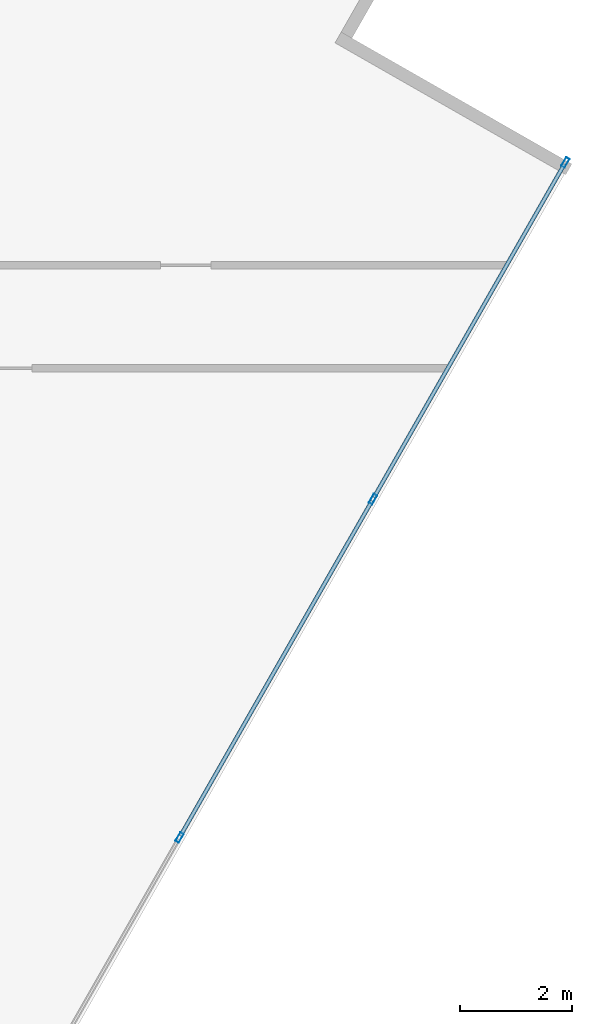
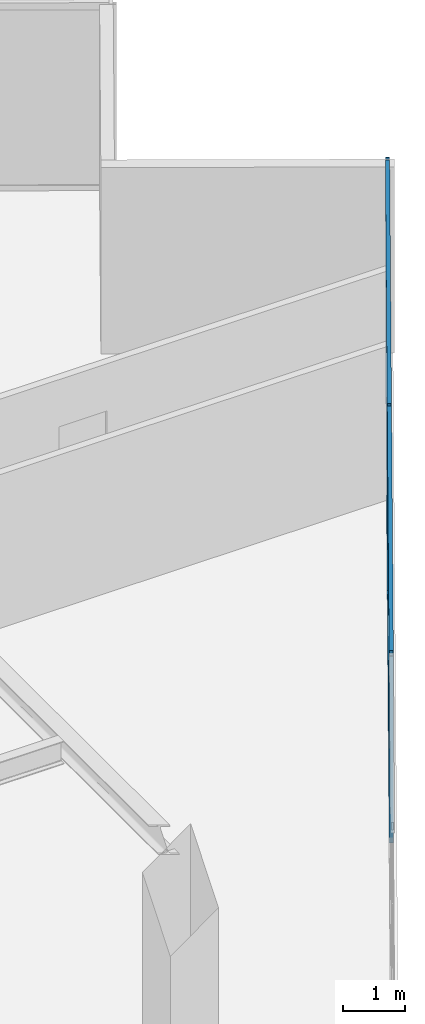
# One storey, part 11 of 24: 7 members, 1 element without a shape of its own.
"""IFC4 building model written with IfcOpenShell, lengths in metres."""

from ifc_helpers import new_model, si_unit, direction, frame, origin, origin_2d, place, context, subcontext, project, spatial, hollow_rectangle, extrude, source, transform, mapped, material, material_profile, profile_set, type_object, type_shapes, element, aggregate, save


model = new_model("IFC4")

# Units and contexts
model_context = context("Model", 3, precision=1e-05, world=origin(), true_north=direction((0.0, 1.0)))
body_context = subcontext(model_context, "Body", "Model", "MODEL_VIEW")
ifc_project = project(units=[si_unit("LENGTHUNIT", "METRE"), si_unit("AREAUNIT", "SQUARE_METRE"), si_unit("VOLUMEUNIT", "CUBIC_METRE"), si_unit("PLANEANGLEUNIT", "RADIAN"), si_unit("MASSUNIT", "GRAM", prefix="KILO")], contexts=[model_context])

# Site, building, storey
site_placement = place(None, origin())
site = spatial("IfcSite", under=ifc_project, at=site_placement, CompositionType="ELEMENT")
building_placement = place(site_placement, origin())
building = spatial("IfcBuilding", under=site, at=building_placement, Name="Krantzveldt Concourse Tower", CompositionType="ELEMENT")
storey_placement = place(building_placement, frame((0.0, 0.0, 169.89990234375)))
storey = spatial("IfcBuildingStorey", under=building, at=storey_placement, Name="L41", CompositionType="ELEMENT", Elevation=169.89990234375)

# Curtain wall, members
ifc_material = material(Name="Anodised aluminium 6063-T6", Category="aluminium")
curtain_wall_type = type_object("IfcCurtainWallType", Name="CW3", PredefinedType="USERDEFINED", material=ifc_material)
curtain_wall_placement = place(storey_placement, origin())
curtain_wall = element("IfcCurtainWall", 1, at=curtain_wall_placement, inside=storey, type_object=curtain_wall_type, Name="CW-L41-F11", ObjectType="UNITISED CURTAIN WALL", PredefinedType="USERDEFINED")
ifc_material_profile_1 = material_profile(ifc_material, hollow_rectangle(XDim=0.070068359375, YDim=0.179931640625, WallThickness=0.0048828125, at=origin_2d()), Name="Anodised aluminium 6063-T6", Category="aluminium")
ifc_profile_set_1 = profile_set([ifc_material_profile_1], Name="Anodised aluminium 6063-T6 - ALU-MULL 180x70x5")
member_type_1 = type_object("IfcMemberType", Name="CW-MUL-180", PredefinedType="MULLION", material=ifc_profile_set_1)
shared_shape_1 = source(origin(), body_context, "Body", "SweptSolid", [
    extrude(hollow_rectangle(XDim=0.070068359375, YDim=0.179931640625, WallThickness=0.0048828125, at=origin_2d()), origin(), (0.0, 0.0, 1.0), 3.670166015625),
])
type_shapes(member_type_1, [shared_shape_1])
member_1_placement = place(storey_placement, frame((56.662353515625, 18.89892578125, 0.0), z_axis=(0.0, 0.0, 1.0), x_axis=(-0.868198876949, 0.496216394392, 0.0)))
member_1 = element("IfcMember", 2, at=member_1_placement, type_object=member_type_1, Name="CW-Z34 mullion 4", PredefinedType="MULLION", context=body_context, shape_type="MappedRepresentation", body=[
    mapped(shared_shape_1, transform((0.0, 0.0, 0.0), x_axis=(1.0, 0.0, 0.0), y_axis=(0.0, 1.0, 0.0), z_axis=(0.0, 0.0, 1.0), scale=1.0)),
])
member_2_placement = place(storey_placement, frame((60.115966796875, 24.94140625, 0.0), z_axis=(0.0, 0.0, 1.0), x_axis=(-0.868198876949, 0.496216394392, 0.0)))
member_2 = element("IfcMember", 3, at=member_2_placement, type_object=member_type_1, Name="CW-Z34 mullion 5", PredefinedType="MULLION", context=body_context, shape_type="MappedRepresentation", body=[
    mapped(shared_shape_1, transform((0.0, 0.0, 0.0), x_axis=(1.0, 0.0, 0.0), y_axis=(0.0, 1.0, 0.0), z_axis=(0.0, 0.0, 1.0), scale=1.0)),
])
member_3_placement = place(storey_placement, frame((63.55224609375, 30.953857421875, 0.0), z_axis=(0.0, 0.0, 1.0), x_axis=(-0.868198876949, 0.496216394392, 0.0)))
member_3 = element("IfcMember", 4, at=member_3_placement, type_object=member_type_1, Name="CW-Z34 mullion 6", PredefinedType="MULLION", context=body_context, shape_type="MappedRepresentation", body=[
    mapped(shared_shape_1, transform((0.0, 0.0, 0.0), x_axis=(1.0, 0.0, 0.0), y_axis=(0.0, 1.0, 0.0), z_axis=(0.0, 0.0, 1.0), scale=1.0)),
])
ifc_material_profile_2 = material_profile(ifc_material, hollow_rectangle(XDim=0.070068359375, YDim=0.139892578125, WallThickness=0.0048828125, at=origin_2d()), Name="Anodised aluminium 6063-T6", Category="aluminium")
ifc_profile_set_2 = profile_set([ifc_material_profile_2], Name="Anodised aluminium 6063-T6 - ALU-TRAN 140x70x5")
member_type_2 = type_object("IfcMemberType", Name="CW-TRN-150", PredefinedType="USERDEFINED", material=ifc_profile_set_2)
shared_shape_2 = source(origin(), body_context, "Body", "SweptSolid", [
    extrude(hollow_rectangle(XDim=0.070068359375, YDim=0.139892578125, WallThickness=0.0048828125, at=origin_2d()), origin(), (0.0, 0.0, 1.0), 6.85498046875),
])
member_4_placement = place(storey_placement, frame((60.13330078125, 24.971923828125, 0.03515625), z_axis=(0.496227152008, 0.868192728379, 0.0), x_axis=(-0.868192728379, 0.496227152008, 0.0)))
member_4 = element("IfcMember", 5, at=member_4_placement, type_object=member_type_2, Name="CW-Z34 transom 5.1", ObjectType="TRANSOM", PredefinedType="USERDEFINED", context=body_context, shape_type="MappedRepresentation", body=[
    mapped(shared_shape_2, transform((0.0, 0.0, 0.0), x_axis=(1.0, 0.0, 0.0), y_axis=(0.0, 1.0, 0.0), z_axis=(0.0, 0.0, 1.0), scale=1.0)),
])
member_5_placement = place(storey_placement, frame((60.13330078125, 24.971923828125, 3.635009765625), z_axis=(0.496227152008, 0.868192728379, 0.0), x_axis=(-0.868192728379, 0.496227152008, 0.0)))
member_5 = element("IfcMember", 6, at=member_5_placement, type_object=member_type_2, Name="CW-Z34 transom 5.2", ObjectType="TRANSOM", PredefinedType="USERDEFINED", context=body_context, shape_type="MappedRepresentation", body=[
    mapped(shared_shape_2, transform((0.0, 0.0, 0.0), x_axis=(1.0, 0.0, 0.0), y_axis=(0.0, 1.0, 0.0), z_axis=(0.0, 0.0, 1.0), scale=1.0)),
])
shared_shape_3 = source(origin(), body_context, "Body", "SweptSolid", [
    extrude(hollow_rectangle(XDim=0.070068359375, YDim=0.139892578125, WallThickness=0.0048828125, at=origin_2d()), origin(), (0.0, 0.0, 1.0), 6.89013671875),
])
type_shapes(member_type_2, [shared_shape_2, shared_shape_3])
member_6_placement = place(storey_placement, frame((56.6796875, 18.92919921875, 0.03515625), z_axis=(0.496215255443, 0.868199527911, 0.0), x_axis=(-0.868199527911, 0.496215255443, 0.0)))
member_6 = element("IfcMember", 7, at=member_6_placement, type_object=member_type_2, Name="CW-Z34 transom 4.1", ObjectType="TRANSOM", PredefinedType="USERDEFINED", context=body_context, shape_type="MappedRepresentation", body=[
    mapped(shared_shape_3, transform((0.0, 0.0, 0.0), x_axis=(1.0, 0.0, 0.0), y_axis=(0.0, 1.0, 0.0), z_axis=(0.0, 0.0, 1.0), scale=1.0)),
])
member_7_placement = place(storey_placement, frame((56.6796875, 18.92919921875, 3.635009765625), z_axis=(0.496215255443, 0.868199527911, 0.0), x_axis=(-0.868199527911, 0.496215255443, 0.0)))
member_7 = element("IfcMember", 8, at=member_7_placement, type_object=member_type_2, Name="CW-Z34 transom 4.2", ObjectType="TRANSOM", PredefinedType="USERDEFINED", context=body_context, shape_type="MappedRepresentation", body=[
    mapped(shared_shape_3, transform((0.0, 0.0, 0.0), x_axis=(1.0, 0.0, 0.0), y_axis=(0.0, 1.0, 0.0), z_axis=(0.0, 0.0, 1.0), scale=1.0)),
])
aggregate(curtain_wall, [member_1, member_2, member_3, member_6, member_7, member_4, member_5])

save(model, "model.ifc")
